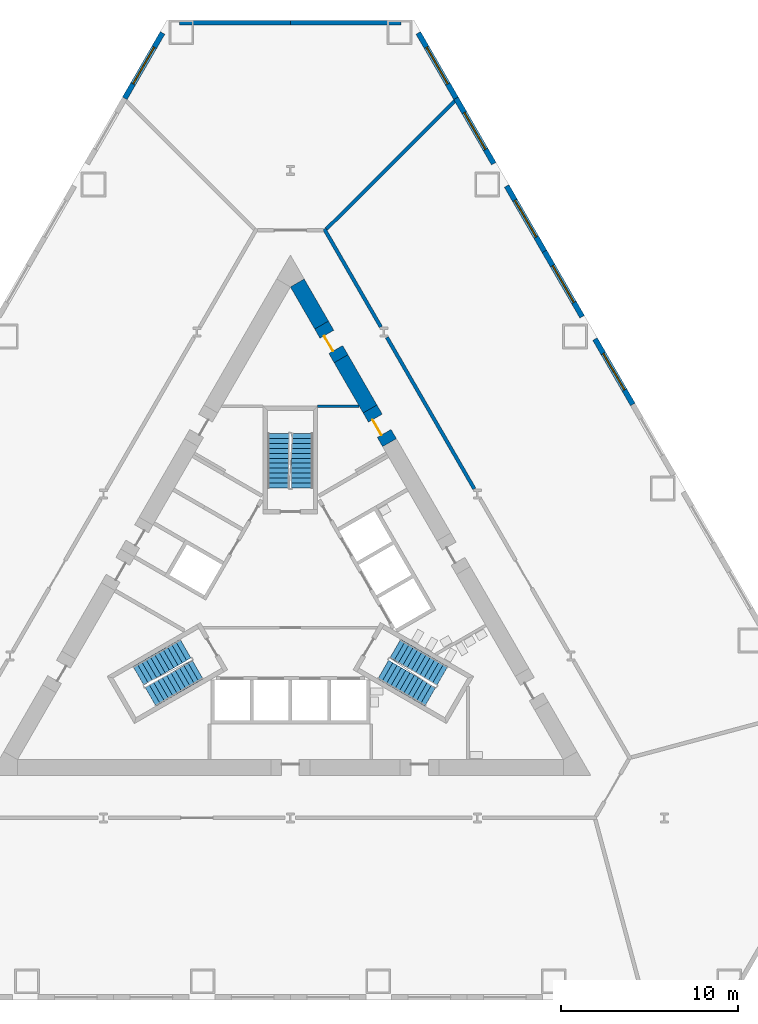
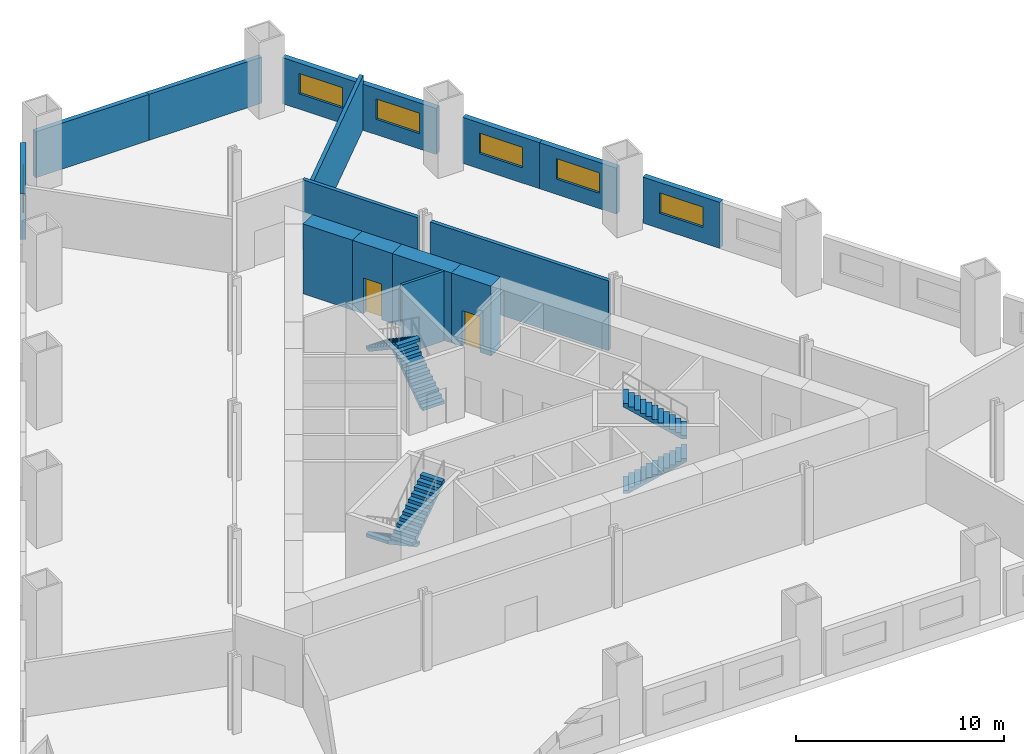
# One storey, part 5 of 8: 16 walls, 6 stair flights, 6 windows, 2 doors, 8 openings, 3 elements without a shape of their own.
"""IFC4 building model written with IfcOpenShell, lengths in metres."""

from ifc_helpers import new_model, si_unit, direction, frame, frame_2d, origin, place, context, subcontext, project, spatial, polyline, rectangle, outline, extrude, material, layer, layer_set, type_object, element, fill, aggregate, save


model = new_model("IFC4")

# Units and contexts
model_context = context("Model", 3, precision=1e-05, world=origin(), true_north=direction((0.0, 1.0)))
body_context = subcontext(model_context, "Body", "Model", "MODEL_VIEW")
ifc_project = project(units=[si_unit("LENGTHUNIT", "METRE"), si_unit("AREAUNIT", "SQUARE_METRE"), si_unit("VOLUMEUNIT", "CUBIC_METRE"), si_unit("PLANEANGLEUNIT", "RADIAN"), si_unit("MASSUNIT", "GRAM", prefix="KILO")], contexts=[model_context])

# Site, building, storey
site_placement = place(None, origin())
site = spatial("IfcSite", under=ifc_project, at=site_placement, CompositionType="ELEMENT")
building_placement = place(site_placement, origin())
building = spatial("IfcBuilding", under=site, at=building_placement, Name="Cormorant Prow Tower", CompositionType="ELEMENT")
storey_placement = place(building_placement, frame((0.0, 0.0, 25.5)))
storey = spatial("IfcBuildingStorey", under=building, at=storey_placement, Name="L04", CompositionType="ELEMENT", Elevation=25.5)

# Walls
ifc_material_1 = material(Name="Gypsum board partition")
ifc_layer_1 = layer(ifc_material_1, 0.14990234375)
ifc_layer_set_1 = layer_set([ifc_layer_1], Name="Gypsum board partition")
wall_type_1 = type_object("IfcWallType", Name="Core partition 150", PredefinedType="PARTITIONING", material=ifc_layer_set_1)
wall_1_placement = place(storey_placement, frame((1.5439453125, 11.0869140625, 0.0), z_axis=(0.0, 0.0, 1.0), x_axis=(1.0, 0.0, 0.0)))
element("IfcWall", 1, at=wall_1_placement, inside=storey, type_object=wall_type_1, Name="Service room partition", PredefinedType="PARTITIONING", context=body_context, shape_type="SweptSolid", body=[
    extrude(rectangle(XDim=2.349365234375, YDim=0.14990234375, at=frame_2d((1.1748046875, 0.0))), origin(), (0.0, 0.0, 1.0), 4.10009765625),
])
ifc_material_2 = material(Name="Concrete 8000 psi", Category="concrete")
ifc_layer_2 = layer(ifc_material_2, 0.89990234375)
ifc_layer_set_2 = layer_set([ifc_layer_2], Name="Concrete 8000 psi")
wall_type_2 = type_object("IfcWallType", Name="Core shear wall 900", PredefinedType="SHEAR", material=ifc_layer_set_2)
wall_2_placement = place(storey_placement, frame((4.505615234375, 10.92578125, 0.0), z_axis=(0.0, 0.0, 1.0), x_axis=(-0.499995024727, 0.866028276241, 0.0)))
element("IfcWall", 2, at=wall_2_placement, inside=storey, type_object=wall_type_2, Name="Core wall", PredefinedType="SHEAR", context=body_context, shape_type="SweptSolid", body=[
    extrude(rectangle(XDim=3.2822265625, YDim=0.89990234375, at=frame_2d((1.64111328125, 0.0))), origin(), (0.0, 0.0, 1.0), 4.10009765625),
])
wall_3_placement = place(storey_placement, frame((1.7646484375, 15.673583984375, 0.0), z_axis=(0.0, 0.0, 1.0), x_axis=(-0.500034990121, 0.866005201286, 0.0)))
element("IfcWall", 3, at=wall_3_placement, inside=storey, type_object=wall_type_2, Name="Core wall", PredefinedType="SHEAR", context=body_context, shape_type="SweptSolid", body=[
    extrude(rectangle(XDim=2.749755859375, YDim=0.89990234375, at=frame_2d((1.375, 0.0))), origin(), (0.0, 0.0, 1.0), 4.10009765625),
])

# Wall, opening, door
wall_4_placement = place(storey_placement, frame((2.86474609375, 13.768310546875, 0.0), z_axis=(0.0, 0.0, 1.0), x_axis=(-0.50002983664, 0.866008176907, 0.0)))
wall_4 = element("IfcWall", 4, at=wall_4_placement, inside=storey, type_object=wall_type_2, Name="Core wall door panel", PredefinedType="SHEAR", context=body_context, shape_type="SweptSolid", body=[
    extrude(rectangle(XDim=2.199951171875, YDim=0.89990234375, at=frame_2d((1.10009765625, 0.0))), origin(), (0.0, 0.0, 1.0), 4.10009765625),
])
opening_1_placement = place(wall_4_placement, frame((0.60009765625, 0.0, 0.0)))
opening_1 = element("IfcOpeningElement", 5, at=opening_1_placement, cuts=wall_4, Name="Opening L04-C21", PredefinedType="OPENING", context=body_context, shape_type="SweptSolid", body=[
    extrude(rectangle(XDim=1.0, YDim=2.10009765625, at=frame_2d((0.5, 1.050048828125))), frame((0.0, 0.4599609375, 0.0), z_axis=(0.0, -1.0, 0.0), x_axis=(1.0, 0.0, 0.0)), (0.0, 0.0, 1.0), 0.919921875),
])
ifc_material_3 = material(Name="Painted steel", Category="steel")
door_type = type_object("IfcDoorType", Name="Service door 1000x2100", OperationType="NOTDEFINED", PredefinedType="DOOR", material=ifc_material_3)
door_1_placement = place(opening_1_placement, origin())
door_1 = element("IfcDoor", 6, at=door_1_placement, inside=storey, type_object=door_type, Name="Core door, Mechanical riser room", OperationType="SINGLE_SWING_LEFT", OverallHeight=2.10009765625, OverallWidth=1.0, PredefinedType="DOOR", context=body_context, shape_type="SweptSolid", body=[
    extrude(rectangle(XDim=1.0, YDim=2.10009765625, at=frame_2d((0.5, 1.050048828125))), frame((0.0, 0.205078125, 0.0), z_axis=(0.0, -1.0, 0.0), x_axis=(1.0, 0.0, 0.0)), (0.0, 0.0, 1.0), 0.050048828125),
])
fill(opening_1, door_1)

wall_5_placement = place(storey_placement, frame((5.605712890625, 9.0205078125, 0.0), z_axis=(0.0, 0.0, 1.0), x_axis=(-0.499946605688, 0.86605622881, 0.0)))
wall_5 = element("IfcWall", 7, at=wall_5_placement, inside=storey, type_object=wall_type_2, Name="Core wall door panel", PredefinedType="SHEAR", context=body_context, shape_type="SweptSolid", body=[
    extrude(rectangle(XDim=2.199951171875, YDim=0.89990234375, at=frame_2d((1.10009765625, 0.0))), origin(), (0.0, 0.0, 1.0), 4.10009765625),
])
opening_2_placement = place(wall_5_placement, frame((0.60009765625, 0.0, 0.0)))
opening_2 = element("IfcOpeningElement", 8, at=opening_2_placement, cuts=wall_5, Name="Opening L04-C22", PredefinedType="OPENING", context=body_context, shape_type="SweptSolid", body=[
    extrude(rectangle(XDim=1.0, YDim=2.10009765625, at=frame_2d((0.5, 1.050048828125))), frame((0.0, 0.4599609375, 0.0), z_axis=(0.0, -1.0, 0.0), x_axis=(1.0, 0.0, 0.0)), (0.0, 0.0, 1.0), 0.919921875),
])
door_2_placement = place(opening_2_placement, origin())
door_2 = element("IfcDoor", 9, at=door_2_placement, inside=storey, type_object=door_type, Name="Core door, Mechanical riser room", OperationType="SINGLE_SWING_LEFT", OverallHeight=2.10009765625, OverallWidth=1.0, PredefinedType="DOOR", context=body_context, shape_type="SweptSolid", body=[
    extrude(rectangle(XDim=1.0, YDim=2.10009765625, at=frame_2d((0.5, 1.050048828125))), frame((0.0, 0.205078125, 0.0), z_axis=(0.0, -1.0, 0.0), x_axis=(1.0, 0.0, 0.0)), (0.0, 0.0, 1.0), 0.050048828125),
])
fill(opening_2, door_2)

# Walls
ifc_material_4 = material(Name="Gypsum board corridor wall")
ifc_layer_3 = layer(ifc_material_4, 0.199951171875)
ifc_layer_set_3 = layer_set([ifc_layer_3], Name="Gypsum board corridor wall")
wall_type_3 = type_object("IfcWallType", Name="Corridor wall 200", PredefinedType="PARTITIONING", material=ifc_layer_set_3)
wall_6_placement = place(storey_placement, frame((5.45947265625, 14.973876953125, 0.0), z_axis=(0.0, 0.0, 1.0), x_axis=(0.499985793049, -0.866033606016, 0.0)))
element("IfcWall", 10, at=wall_6_placement, inside=storey, type_object=wall_type_3, Name="Corridor wall", PredefinedType="PARTITIONING", context=body_context, shape_type="SweptSolid", body=[
    extrude(rectangle(XDim=9.897705078125, YDim=0.199951171875, at=frame_2d((4.94873046875, 0.0))), origin(), (0.0, 0.0, 1.0), 4.10009765625),
])
wall_7_placement = place(storey_placement, frame((1.9130859375, 21.116455078125, 0.0), z_axis=(0.0, 0.0, 1.0), x_axis=(0.500004801114, -0.866022631842, 0.0)))
element("IfcWall", 11, at=wall_7_placement, inside=storey, type_object=wall_type_3, Name="Corridor wall", PredefinedType="PARTITIONING", context=body_context, shape_type="SweptSolid", body=[
    extrude(rectangle(XDim=6.412109375, YDim=0.199951171875, at=frame_2d((3.2060546875, 0.0))), origin(), (0.0, 0.0, 1.0), 4.10009765625),
])
ifc_material_5 = material(Name="Gypsum board demising wall")
ifc_layer_4 = layer(ifc_material_5, 0.199951171875)
ifc_layer_set_4 = layer_set([ifc_layer_4], Name="Gypsum board demising wall")
wall_type_4 = type_object("IfcWallType", Name="Demising wall 200", PredefinedType="PARTITIONING", material=ifc_layer_set_4)
wall_8_placement = place(storey_placement, frame((2.03369140625, 21.1005859375, 0.0), z_axis=(0.0, 0.0, 1.0), x_axis=(0.707402604593, 0.706810833968, 0.0)))
element("IfcWall", 12, at=wall_8_placement, inside=storey, type_object=wall_type_4, Name="Demising wall", PredefinedType="PARTITIONING", context=body_context, shape_type="SweptSolid", body=[
    extrude(rectangle(XDim=10.31396484375, YDim=0.199951171875, at=frame_2d((5.156982421875, 0.0))), origin(), (0.0, 0.0, 1.0), 3.185302734375),
])
ifc_material_6 = material(Name="Terracotta", Category="masonry")
ifc_layer_5 = layer(ifc_material_6, 0.25)
ifc_layer_set_5 = layer_set([ifc_layer_5], Name="Terracotta")
wall_type_5 = type_object("IfcWallType", Name="Terracotta bay wall 250", PredefinedType="SOLIDWALL", material=ifc_layer_set_5)
for number, where, z_axis, x_axis, name in (
    (13, (6.27001953125, 32.783935546875, 0.0), (0.0, 0.0, 1.0), (-1.0, 0.0, 0.0), "Terracotta bay wall N00"),
    (14, (0.0, 32.783935546875, 0.0), (0.0, 0.0, 1.0), (-1.0, 0.0, 0.0), "Terracotta bay wall N01"),
):
    element("IfcWall", number, at=place(storey_placement, frame(where, z_axis=z_axis, x_axis=x_axis)), inside=storey, type_object=wall_type_5, Name=name, PredefinedType="SOLIDWALL", context=body_context, shape_type="SweptSolid", body=[
        extrude(rectangle(XDim=6.27001953125, YDim=0.25, at=frame_2d((3.135009765625, 0.0))), origin(), (0.0, 0.0, 1.0), 2.699951171875),
    ])

# Wall, opening, window
ifc_material_7 = material(Name="Terracotta", Category="masonry")
ifc_layer_6 = layer(ifc_material_7, 0.300048828125)
ifc_layer_set_6 = layer_set([ifc_layer_6], Name="Terracotta")
wall_type_6 = type_object("IfcWallType", Name="Terracotta podium cladding wall 300", PredefinedType="SOLIDWALL", material=ifc_layer_set_6)
wall_9_placement = place(storey_placement, frame((19.3701171875, 11.183349609375, 0.0), z_axis=(0.0, 0.0, 1.0), x_axis=(-0.499994660107, 0.866028486751, 0.0)))
wall_9 = element("IfcWall", 15, at=wall_9_placement, inside=storey, type_object=wall_type_6, Name="Terracotta podium wall ENE05", PredefinedType="SOLIDWALL", context=body_context, shape_type="SweptSolid", body=[
    extrude(rectangle(XDim=4.27001953125, YDim=0.300048828125, at=frame_2d((2.135009765625, 0.0))), origin(), (0.0, 0.0, 1.0), 2.699951171875),
])
opening_3_placement = place(wall_9_placement, frame((0.93505859375, 0.0, 0.89990234375)))
opening_3 = element("IfcOpeningElement", 16, at=opening_3_placement, cuts=wall_9, Name="Opening WN23", PredefinedType="OPENING", context=body_context, shape_type="SweptSolid", body=[
    extrude(rectangle(XDim=2.39990234375, YDim=1.199951171875, at=frame_2d((1.199951171875, 0.60009765625))), frame((0.0, 0.159912109375, 0.0), z_axis=(0.0, -1.0, 0.0), x_axis=(1.0, 0.0, 0.0)), (0.0, 0.0, 1.0), 0.320068359375),
])
ifc_material_8 = material(Name="Aluminium 6063-T6", Category="aluminium")
window_type = type_object("IfcWindowType", Name="Podium window 2400x1200", PartitioningType="SINGLE_PANEL", PredefinedType="WINDOW", material=ifc_material_8)
window_1_placement = place(opening_3_placement, origin())
window_1 = element("IfcWindow", 17, at=window_1_placement, inside=storey, type_object=window_type, Name="Podium window ENE05", OverallHeight=1.199951171875, OverallWidth=2.39990234375, PartitioningType="SINGLE_PANEL", PredefinedType="WINDOW", context=body_context, shape_type="SweptSolid", body=[
    extrude(rectangle(XDim=2.39990234375, YDim=1.199951171875, at=frame_2d((1.199951171875, 0.60009765625))), frame((0.0, 0.030029296875, 0.0), z_axis=(0.0, -1.0, 0.0), x_axis=(1.0, 0.0, 0.0)), (0.0, 0.0, 1.0), 0.06005859375),
])
fill(opening_3, window_1)

wall_10_placement = place(storey_placement, frame((16.505126953125, 16.145751953125, 0.0), z_axis=(0.0, 0.0, 1.0), x_axis=(-0.500019418418, 0.866014192265, 0.0)))
wall_10 = element("IfcWall", 18, at=wall_10_placement, inside=storey, type_object=wall_type_6, Name="Terracotta podium wall ENE06", PredefinedType="SOLIDWALL", context=body_context, shape_type="SweptSolid", body=[
    extrude(rectangle(XDim=4.269775390625, YDim=0.300048828125, at=frame_2d((2.134765625, 0.0))), origin(), (0.0, 0.0, 1.0), 2.699951171875),
])
opening_4_placement = place(wall_10_placement, frame((0.93505859375, 0.0, 0.89990234375)))
opening_4 = element("IfcOpeningElement", 19, at=opening_4_placement, cuts=wall_10, Name="Opening WN23", PredefinedType="OPENING", context=body_context, shape_type="SweptSolid", body=[
    extrude(rectangle(XDim=2.39990234375, YDim=1.199951171875, at=frame_2d((1.199951171875, 0.60009765625))), frame((0.0, 0.159912109375, 0.0), z_axis=(0.0, -1.0, 0.0), x_axis=(1.0, 0.0, 0.0)), (0.0, 0.0, 1.0), 0.320068359375),
])
window_2_placement = place(opening_4_placement, origin())
window_2 = element("IfcWindow", 20, at=window_2_placement, inside=storey, type_object=window_type, Name="Podium window ENE06", OverallHeight=1.199951171875, OverallWidth=2.39990234375, PartitioningType="SINGLE_PANEL", PredefinedType="WINDOW", context=body_context, shape_type="SweptSolid", body=[
    extrude(rectangle(XDim=2.39990234375, YDim=1.199951171875, at=frame_2d((1.199951171875, 0.60009765625))), frame((0.0, 0.030029296875, 0.0), z_axis=(0.0, -1.0, 0.0), x_axis=(1.0, 0.0, 0.0)), (0.0, 0.0, 1.0), 0.06005859375),
])
fill(opening_4, window_2)

wall_11_placement = place(storey_placement, frame((14.3701171875, 19.843505859375, 0.0), z_axis=(0.0, 0.0, 1.0), x_axis=(-0.499994660107, 0.866028486751, 0.0)))
wall_11 = element("IfcWall", 21, at=wall_11_placement, inside=storey, type_object=wall_type_6, Name="Terracotta podium wall ENE07", PredefinedType="SOLIDWALL", context=body_context, shape_type="SweptSolid", body=[
    extrude(rectangle(XDim=4.27001953125, YDim=0.300048828125, at=frame_2d((2.135009765625, 0.0))), origin(), (0.0, 0.0, 1.0), 2.699951171875),
])
opening_5_placement = place(wall_11_placement, frame((0.93505859375, 0.0, 0.89990234375)))
opening_5 = element("IfcOpeningElement", 22, at=opening_5_placement, cuts=wall_11, Name="Opening WN23", PredefinedType="OPENING", context=body_context, shape_type="SweptSolid", body=[
    extrude(rectangle(XDim=2.39990234375, YDim=1.199951171875, at=frame_2d((1.199951171875, 0.60009765625))), frame((0.0, 0.159912109375, 0.0), z_axis=(0.0, -1.0, 0.0), x_axis=(1.0, 0.0, 0.0)), (0.0, 0.0, 1.0), 0.320068359375),
])
window_3_placement = place(opening_5_placement, origin())
window_3 = element("IfcWindow", 23, at=window_3_placement, inside=storey, type_object=window_type, Name="Podium window ENE07", OverallHeight=1.199951171875, OverallWidth=2.39990234375, PartitioningType="SINGLE_PANEL", PredefinedType="WINDOW", context=body_context, shape_type="SweptSolid", body=[
    extrude(rectangle(XDim=2.39990234375, YDim=1.199951171875, at=frame_2d((1.199951171875, 0.60009765625))), frame((0.0, 0.030029296875, 0.0), z_axis=(0.0, -1.0, 0.0), x_axis=(1.0, 0.0, 0.0)), (0.0, 0.0, 1.0), 0.06005859375),
])
fill(opening_5, window_3)

wall_12_placement = place(storey_placement, frame((11.505126953125, 24.805908203125, 0.0), z_axis=(0.0, 0.0, 1.0), x_axis=(-0.499994660107, 0.866028486751, 0.0)))
wall_12 = element("IfcWall", 24, at=wall_12_placement, inside=storey, type_object=wall_type_6, Name="Terracotta podium wall ENE08", PredefinedType="SOLIDWALL", context=body_context, shape_type="SweptSolid", body=[
    extrude(rectangle(XDim=4.27001953125, YDim=0.300048828125, at=frame_2d((2.135009765625, 0.0))), origin(), (0.0, 0.0, 1.0), 2.699951171875),
])
opening_6_placement = place(wall_12_placement, frame((0.93505859375, 0.0, 0.89990234375)))
opening_6 = element("IfcOpeningElement", 25, at=opening_6_placement, cuts=wall_12, Name="Opening WN23", PredefinedType="OPENING", context=body_context, shape_type="SweptSolid", body=[
    extrude(rectangle(XDim=2.39990234375, YDim=1.199951171875, at=frame_2d((1.199951171875, 0.60009765625))), frame((0.0, 0.159912109375, 0.0), z_axis=(0.0, -1.0, 0.0), x_axis=(1.0, 0.0, 0.0)), (0.0, 0.0, 1.0), 0.320068359375),
])
window_4_placement = place(opening_6_placement, origin())
window_4 = element("IfcWindow", 26, at=window_4_placement, inside=storey, type_object=window_type, Name="Podium window ENE08", OverallHeight=1.199951171875, OverallWidth=2.39990234375, PartitioningType="SINGLE_PANEL", PredefinedType="WINDOW", context=body_context, shape_type="SweptSolid", body=[
    extrude(rectangle(XDim=2.39990234375, YDim=1.199951171875, at=frame_2d((1.199951171875, 0.60009765625))), frame((0.0, 0.030029296875, 0.0), z_axis=(0.0, -1.0, 0.0), x_axis=(1.0, 0.0, 0.0)), (0.0, 0.0, 1.0), 0.06005859375),
])
fill(opening_6, window_4)

wall_13_placement = place(storey_placement, frame((9.3701171875, 28.50390625, 0.0), z_axis=(0.0, 0.0, 1.0), x_axis=(-0.500019418418, 0.866014192265, 0.0)))
wall_13 = element("IfcWall", 27, at=wall_13_placement, inside=storey, type_object=wall_type_6, Name="Terracotta podium wall ENE09", PredefinedType="SOLIDWALL", context=body_context, shape_type="SweptSolid", body=[
    extrude(rectangle(XDim=4.269775390625, YDim=0.300048828125, at=frame_2d((2.134765625, 0.0))), origin(), (0.0, 0.0, 1.0), 2.699951171875),
])
opening_7_placement = place(wall_13_placement, frame((0.93505859375, 0.0, 0.89990234375)))
opening_7 = element("IfcOpeningElement", 28, at=opening_7_placement, cuts=wall_13, Name="Opening WN23", PredefinedType="OPENING", context=body_context, shape_type="SweptSolid", body=[
    extrude(rectangle(XDim=2.39990234375, YDim=1.199951171875, at=frame_2d((1.199951171875, 0.60009765625))), frame((0.0, 0.159912109375, 0.0), z_axis=(0.0, -1.0, 0.0), x_axis=(1.0, 0.0, 0.0)), (0.0, 0.0, 1.0), 0.320068359375),
])
window_5_placement = place(opening_7_placement, origin())
window_5 = element("IfcWindow", 29, at=window_5_placement, inside=storey, type_object=window_type, Name="Podium window ENE09", OverallHeight=1.199951171875, OverallWidth=2.39990234375, PartitioningType="SINGLE_PANEL", PredefinedType="WINDOW", context=body_context, shape_type="SweptSolid", body=[
    extrude(rectangle(XDim=2.39990234375, YDim=1.199951171875, at=frame_2d((1.199951171875, 0.60009765625))), frame((0.0, 0.030029296875, 0.0), z_axis=(0.0, -1.0, 0.0), x_axis=(1.0, 0.0, 0.0)), (0.0, 0.0, 1.0), 0.06005859375),
])
fill(opening_7, window_5)

wall_14_placement = place(storey_placement, frame((-7.235107421875, 32.20166015625, 0.0), z_axis=(0.0, 0.0, 1.0), x_axis=(-0.500019418418, -0.866014192265, 0.0)))
wall_14 = element("IfcWall", 30, at=wall_14_placement, inside=storey, type_object=wall_type_6, Name="Terracotta podium wall WNW00", PredefinedType="SOLIDWALL", context=body_context, shape_type="SweptSolid", body=[
    extrude(rectangle(XDim=4.269775390625, YDim=0.300048828125, at=frame_2d((2.134765625, 0.0))), origin(), (0.0, 0.0, 1.0), 2.699951171875),
])
opening_8_placement = place(wall_14_placement, frame((0.93505859375, 0.0, 0.89990234375)))
opening_8 = element("IfcOpeningElement", 31, at=opening_8_placement, cuts=wall_14, Name="Opening WN23", PredefinedType="OPENING", context=body_context, shape_type="SweptSolid", body=[
    extrude(rectangle(XDim=2.39990234375, YDim=1.199951171875, at=frame_2d((1.199951171875, 0.60009765625))), frame((0.0, 0.159912109375, 0.0), z_axis=(0.0, -1.0, 0.0), x_axis=(1.0, 0.0, 0.0)), (0.0, 0.0, 1.0), 0.320068359375),
])
window_6_placement = place(opening_8_placement, origin())
window_6 = element("IfcWindow", 32, at=window_6_placement, inside=storey, type_object=window_type, Name="Podium window WNW00", OverallHeight=1.199951171875, OverallWidth=2.39990234375, PartitioningType="SINGLE_PANEL", PredefinedType="WINDOW", context=body_context, shape_type="SweptSolid", body=[
    extrude(rectangle(XDim=2.39990234375, YDim=1.199951171875, at=frame_2d((1.199951171875, 0.60009765625))), frame((0.0, 0.030029296875, 0.0), z_axis=(0.0, -1.0, 0.0), x_axis=(1.0, 0.0, 0.0)), (0.0, 0.0, 1.0), 0.06005859375),
])
fill(opening_8, window_6)

# Stair, stair flights
ifc_material_9 = material(Name="Exit stair 24 risers")
stair_type = type_object("IfcStairType", Name="Exit stair 24 risers", PredefinedType="HALF_TURN_STAIR", material=ifc_material_9)
stair_1_placement = place(storey_placement, origin())
stair_1 = element("IfcStair", 33, at=stair_1_placement, inside=storey, type_object=stair_type, Name="L04 Exit stair ST1", PredefinedType="HALF_TURN_STAIR")
ifc_material_10 = material(Name="Concrete 5000 psi", Category="concrete")
stair_flight_type = type_object("IfcStairFlightType", Name="Stair flight 1219", PredefinedType="STRAIGHT", material=ifc_material_10)
stair_flight_1_placement = place(storey_placement, frame((-5.93310546875, -2.635009765625, 0.0), z_axis=(0.0, 0.0, 1.0), x_axis=(-0.866025403784, -0.5, 0.0)))
stair_flight_1 = element("IfcStairFlight", 34, at=stair_flight_1_placement, type_object=stair_flight_type, Name="ST1 flight 1", NumberOfRisers=12, NumberOfTreads=11, PredefinedType="STRAIGHT", RiserHeight=0.1875, TreadLength=0.28, context=body_context, shape_type="SweptSolid", body=[
    extrude(outline(polyline([(0.0, 0.0), (0.0, 0.1875), (0.280029296875, 0.1875), (0.280029296875, 0.375), (0.56005859375, 0.375), (0.56005859375, 0.5625), (0.840087890625, 0.5625), (0.840087890625, 0.75), (1.1201171875, 0.75), (1.1201171875, 0.9375), (1.39990234375, 0.9375), (1.39990234375, 1.125), (1.679931640625, 1.125), (1.679931640625, 1.3125), (1.9599609375, 1.3125), (1.9599609375, 1.5), (2.239990234375, 1.5), (2.239990234375, 1.6875), (2.52001953125, 1.6875), (2.52001953125, 1.875), (2.800048828125, 1.875), (2.800048828125, 2.0625), (3.080078125, 2.0625), (3.080078125, 2.25), (3.080078125, 1.882080078125), (0.26953125, 0.0), (0.0, 0.0)])), frame((0.0, 0.609375, 0.0), z_axis=(0.0, -1.0, 0.0), x_axis=(1.0, 0.0, 0.0)), (0.0, 0.0, 1.0), 1.218994140625),
])
stair_flight_2_placement = place(storey_placement, frame((-7.916015625, -5.360595703125, 2.25), z_axis=(0.0, 0.0, 1.0), x_axis=(0.866025403784, 0.5, 0.0)))
stair_flight_2 = element("IfcStairFlight", 35, at=stair_flight_2_placement, type_object=stair_flight_type, Name="ST1 flight 2", NumberOfRisers=12, NumberOfTreads=11, PredefinedType="STRAIGHT", RiserHeight=0.1875, TreadLength=0.28, context=body_context, shape_type="SweptSolid", body=[
    extrude(outline(polyline([(0.0, 0.0), (0.0, 0.1875), (0.280029296875, 0.1875), (0.280029296875, 0.375), (0.56005859375, 0.375), (0.56005859375, 0.5625), (0.840087890625, 0.5625), (0.840087890625, 0.75), (1.1201171875, 0.75), (1.1201171875, 0.9375), (1.39990234375, 0.9375), (1.39990234375, 1.125), (1.679931640625, 1.125), (1.679931640625, 1.3125), (1.9599609375, 1.3125), (1.9599609375, 1.5), (2.239990234375, 1.5), (2.239990234375, 1.6875), (2.52001953125, 1.6875), (2.52001953125, 1.875), (2.800048828125, 1.875), (2.800048828125, 2.0625), (3.080078125, 2.0625), (3.080078125, 2.25), (3.080078125, 1.882080078125), (0.26953125, 0.0), (0.0, 0.0)])), frame((0.0, 0.609375, 0.0), z_axis=(0.0, -1.0, 0.0), x_axis=(1.0, 0.0, 0.0)), (0.0, 0.0, 1.0), 1.218994140625),
])
aggregate(stair_1, [stair_flight_1, stair_flight_2])

stair_2_placement = place(storey_placement, origin())
stair_2 = element("IfcStair", 36, at=stair_2_placement, inside=storey, type_object=stair_type, Name="L04 Exit stair ST2", PredefinedType="HALF_TURN_STAIR")
stair_flight_3_placement = place(storey_placement, frame((5.24853515625, -3.82080078125, 0.0), z_axis=(0.0, 0.0, 1.0), x_axis=(0.866025403784, -0.5, 0.0)))
stair_flight_3 = element("IfcStairFlight", 37, at=stair_flight_3_placement, type_object=stair_flight_type, Name="ST2 flight 1", NumberOfRisers=12, NumberOfTreads=11, PredefinedType="STRAIGHT", RiserHeight=0.1875, TreadLength=0.28, context=body_context, shape_type="SweptSolid", body=[
    extrude(outline(polyline([(0.0, 0.0), (0.0, 0.1875), (0.280029296875, 0.1875), (0.280029296875, 0.375), (0.56005859375, 0.375), (0.56005859375, 0.5625), (0.840087890625, 0.5625), (0.840087890625, 0.75), (1.1201171875, 0.75), (1.1201171875, 0.9375), (1.39990234375, 0.9375), (1.39990234375, 1.125), (1.679931640625, 1.125), (1.679931640625, 1.3125), (1.9599609375, 1.3125), (1.9599609375, 1.5), (2.239990234375, 1.5), (2.239990234375, 1.6875), (2.52001953125, 1.6875), (2.52001953125, 1.875), (2.800048828125, 1.875), (2.800048828125, 2.0625), (3.080078125, 2.0625), (3.080078125, 2.25), (3.080078125, 1.882080078125), (0.26953125, 0.0), (0.0, 0.0)])), frame((0.0, 0.609375, 0.0), z_axis=(0.0, -1.0, 0.0), x_axis=(1.0, 0.0, 0.0)), (0.0, 0.0, 1.0), 1.218994140625),
])
stair_flight_4_placement = place(storey_placement, frame((8.6005859375, -4.175048828125, 2.25), z_axis=(0.0, 0.0, 1.0), x_axis=(-0.866025403784, 0.5, 0.0)))
stair_flight_4 = element("IfcStairFlight", 38, at=stair_flight_4_placement, type_object=stair_flight_type, Name="ST2 flight 2", NumberOfRisers=12, NumberOfTreads=11, PredefinedType="STRAIGHT", RiserHeight=0.1875, TreadLength=0.28, context=body_context, shape_type="SweptSolid", body=[
    extrude(outline(polyline([(0.0, 0.0), (0.0, 0.1875), (0.280029296875, 0.1875), (0.280029296875, 0.375), (0.56005859375, 0.375), (0.56005859375, 0.5625), (0.840087890625, 0.5625), (0.840087890625, 0.75), (1.1201171875, 0.75), (1.1201171875, 0.9375), (1.39990234375, 0.9375), (1.39990234375, 1.125), (1.679931640625, 1.125), (1.679931640625, 1.3125), (1.9599609375, 1.3125), (1.9599609375, 1.5), (2.239990234375, 1.5), (2.239990234375, 1.6875), (2.52001953125, 1.6875), (2.52001953125, 1.875), (2.800048828125, 1.875), (2.800048828125, 2.0625), (3.080078125, 2.0625), (3.080078125, 2.25), (3.080078125, 1.882080078125), (0.26953125, 0.0), (0.0, 0.0)])), frame((0.0, 0.609375, 0.0), z_axis=(0.0, -1.0, 0.0), x_axis=(1.0, 0.0, 0.0)), (0.0, 0.0, 1.0), 1.218994140625),
])
aggregate(stair_2, [stair_flight_3, stair_flight_4])

stair_3_placement = place(storey_placement, origin())
stair_3 = element("IfcStair", 39, at=stair_3_placement, inside=storey, type_object=stair_type, Name="L04 Exit stair ST3", PredefinedType="HALF_TURN_STAIR")
stair_flight_5_placement = place(storey_placement, frame((0.6845703125, 6.455810546875, 0.0), z_axis=(0.0, 0.0, 1.0), x_axis=(0.0, 1.0, 0.0)))
stair_flight_5 = element("IfcStairFlight", 40, at=stair_flight_5_placement, type_object=stair_flight_type, Name="ST3 flight 1", NumberOfRisers=12, NumberOfTreads=11, PredefinedType="STRAIGHT", RiserHeight=0.1875, TreadLength=0.28, context=body_context, shape_type="SweptSolid", body=[
    extrude(outline(polyline([(0.0, 0.0), (0.0, 0.1875), (0.280029296875, 0.1875), (0.280029296875, 0.375), (0.56005859375, 0.375), (0.56005859375, 0.5625), (0.840087890625, 0.5625), (0.840087890625, 0.75), (1.1201171875, 0.75), (1.1201171875, 0.9375), (1.39990234375, 0.9375), (1.39990234375, 1.125), (1.679931640625, 1.125), (1.679931640625, 1.3125), (1.9599609375, 1.3125), (1.9599609375, 1.5), (2.239990234375, 1.5), (2.239990234375, 1.6875), (2.52001953125, 1.6875), (2.52001953125, 1.875), (2.800048828125, 1.875), (2.800048828125, 2.0625), (3.080078125, 2.0625), (3.080078125, 2.25), (3.080078125, 1.882080078125), (0.26953125, 0.0), (0.0, 0.0)])), frame((0.0, 0.609375, 0.0), z_axis=(0.0, -1.0, 0.0), x_axis=(1.0, 0.0, 0.0)), (0.0, 0.0, 1.0), 1.218994140625),
])
stair_flight_6_placement = place(storey_placement, frame((-0.6845703125, 9.535888671875, 2.25), z_axis=(0.0, 0.0, 1.0), x_axis=(0.0, -1.0, 0.0)))
stair_flight_6 = element("IfcStairFlight", 41, at=stair_flight_6_placement, type_object=stair_flight_type, Name="ST3 flight 2", NumberOfRisers=12, NumberOfTreads=11, PredefinedType="STRAIGHT", RiserHeight=0.1875, TreadLength=0.28, context=body_context, shape_type="SweptSolid", body=[
    extrude(outline(polyline([(0.0, 0.0), (0.0, 0.1875), (0.280029296875, 0.1875), (0.280029296875, 0.375), (0.56005859375, 0.375), (0.56005859375, 0.5625), (0.840087890625, 0.5625), (0.840087890625, 0.75), (1.1201171875, 0.75), (1.1201171875, 0.9375), (1.39990234375, 0.9375), (1.39990234375, 1.125), (1.679931640625, 1.125), (1.679931640625, 1.3125), (1.9599609375, 1.3125), (1.9599609375, 1.5), (2.239990234375, 1.5), (2.239990234375, 1.6875), (2.52001953125, 1.6875), (2.52001953125, 1.875), (2.800048828125, 1.875), (2.800048828125, 2.0625), (3.080078125, 2.0625), (3.080078125, 2.25), (3.080078125, 1.882080078125), (0.26953125, 0.0), (0.0, 0.0)])), frame((0.0, 0.609375, 0.0), z_axis=(0.0, -1.0, 0.0), x_axis=(1.0, 0.0, 0.0)), (0.0, 0.0, 1.0), 1.218994140625),
])
aggregate(stair_3, [stair_flight_5, stair_flight_6])

save(model, "model.ifc")
